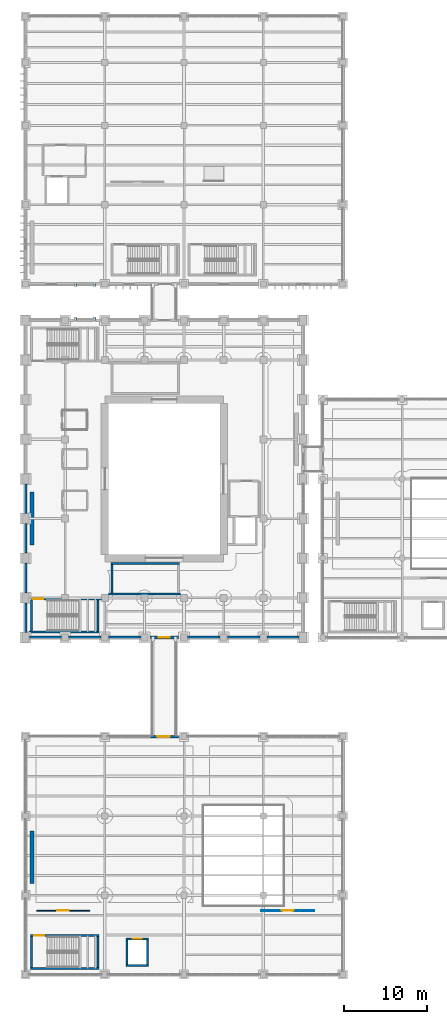
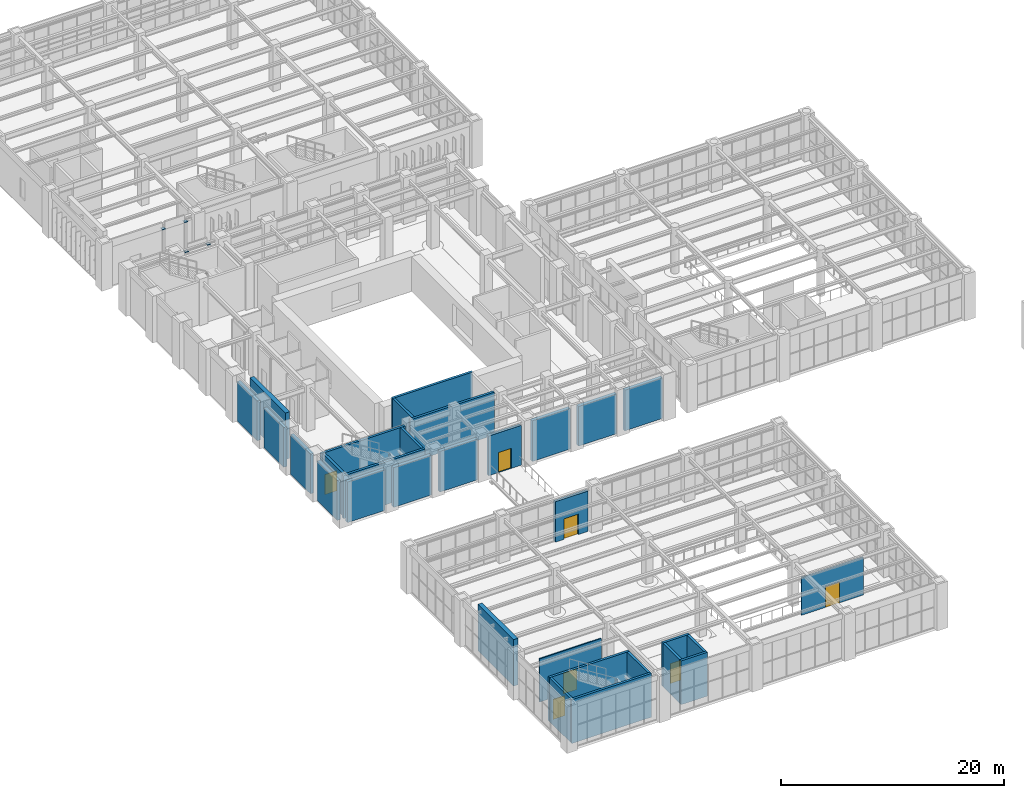
# One storey, part 140 of 174: 31 walls, 7 doors, 4 plates, 7 openings.
"""IFC4 building model written with IfcOpenShell, lengths in metres."""

import ifcopenshell
import ifcopenshell.guid

model = None  # the IFC model being written
_history = None  # IfcOwnerHistory: only IFC2X3 demands one
_inside = {}  # id of a spatial element -> (the spatial element, [elements in it])
_under = {}  # id of a project, library or spatial element -> (it, [spatial elements below it])
_declared = {}  # id of a project -> (the project, [libraries it declares])
_typed = {}  # id of a type object -> (the type object, [elements of that type])
_made_of = {}  # id of a material, layer set ... -> (it, [elements and type objects made of it])


def new_model(schema):
    """Start an empty IFC model of exactly this schema.

    Asked for "IFC4X3", IfcOpenShell would pick the latest addendum, in which some entities
    have other attributes; the version numbers below select the first issue.
    IFC2X3 requires an IfcOwnerHistory on every rooted entity: one is made here for all.
    """
    global model, _history
    if schema == "IFC4X3":
        model = ifcopenshell.file(schema_version=(4, 3, 0, 0))
    else:
        model = ifcopenshell.file(schema=schema)
    _inside.clear()
    _under.clear()
    _declared.clear()
    _typed.clear()
    _made_of.clear()
    _history = None
    if model.schema == "IFC2X3":
        org = make("IfcOrganization", Name="unknown")
        user = make(
            "IfcPersonAndOrganization",
            ThePerson=make("IfcPerson", FamilyName="unknown"),
            TheOrganization=org,
        )
        app = make(
            "IfcApplication",
            ApplicationDeveloper=org,
            Version="unknown",
            ApplicationFullName="unknown",
            ApplicationIdentifier="unknown",
        )
        _history = make(
            "IfcOwnerHistory",
            OwningUser=user,
            OwningApplication=app,
            ChangeAction="ADDED",
            CreationDate=0,
        )
    return model


def make(cls, **values):
    """One entity of the class cls with the attributes given. An attribute that is None is left unset."""
    return model.create_entity(
        cls, **{name: value for name, value in values.items() if value is not None}
    )


def rooted(cls, **values):
    """An entity with a GlobalId (a new one), such as an element, a storey or a relation."""
    return make(cls, GlobalId=ifcopenshell.guid.new(), OwnerHistory=_history, **values)


def si_unit(unit_type, name, prefix=None):
    """IfcSIUnit, for example si_unit("LENGTHUNIT", "METRE", prefix="MILLI")."""
    return make("IfcSIUnit", UnitType=unit_type, Prefix=prefix, Name=name)


def assignment(units):
    """IfcUnitAssignment: the units of a project."""
    return None if units is None else make("IfcUnitAssignment", Units=units)


def point(xyz):
    """IfcCartesianPoint."""
    return None if xyz is None else make("IfcCartesianPoint", Coordinates=xyz)


def direction(xyz):
    """IfcDirection."""
    return None if xyz is None else make("IfcDirection", DirectionRatios=xyz)


def frame(location, z_axis=None, x_axis=None):
    """IfcAxis2Placement3D, a coordinate frame: its origin and axes. An axis left out is left unset."""
    return make(
        "IfcAxis2Placement3D",
        Location=point(location),
        Axis=direction(z_axis),
        RefDirection=direction(x_axis),
    )


def frame_2d(location, x_axis=None):
    """IfcAxis2Placement2D, a coordinate frame in the plane: its origin and x axis."""
    return make(
        "IfcAxis2Placement2D", Location=point(location), RefDirection=direction(x_axis)
    )


def origin():
    """The frame at (0, 0, 0) with its axes left unset."""
    return frame((0.0, 0.0, 0.0))


def origin_2d():
    """The frame at (0, 0) in the plane with its x axis left unset."""
    return frame_2d((0.0, 0.0))


def place(relative_to, where):
    """IfcLocalPlacement: puts the frame where relative to a parent placement (None: the world)."""
    return make(
        "IfcLocalPlacement", PlacementRelTo=relative_to, RelativePlacement=where
    )


def context(
    kind, dimensions, precision=None, world=None, true_north=None, identifier=None
):
    """IfcGeometricRepresentationContext, for example the 3D "Model" context."""
    return make(
        "IfcGeometricRepresentationContext",
        ContextIdentifier=identifier,
        ContextType=kind,
        CoordinateSpaceDimension=dimensions,
        Precision=precision,
        WorldCoordinateSystem=world,
        TrueNorth=true_north,
    )


def subcontext(parent, identifier, kind, view, scale=None):
    """IfcGeometricRepresentationSubContext, for example "Body" below "Model"."""
    return make(
        "IfcGeometricRepresentationSubContext",
        ContextIdentifier=identifier,
        ContextType=kind,
        ParentContext=parent,
        TargetScale=scale,
        TargetView=view,
    )


def project(units=None, contexts=None):
    """IfcProject with its units and contexts."""
    return rooted(
        "IfcProject",
        Name="project",
        RepresentationContexts=contexts,
        UnitsInContext=assignment(units),
    )


def spatial(cls, under=None, at=None, **own):
    """A site, building, storey or space (cls), placed at a placement, below another one or the project."""
    s = rooted(cls, ObjectPlacement=at, **own)
    if under is not None:
        _under.setdefault(under.id(), (under, []))[1].append(s)
    return s


def profile(cls, at=None, kind="AREA", **sizes):
    """A parametric profile (cls). Its sizes go by their IFC names, for example OverallWidth=200.0."""
    return make(cls, ProfileType=kind, Position=at, **sizes)


def rectangle(**sizes):
    """IfcRectangleProfileDef."""
    return profile("IfcRectangleProfileDef", **sizes)


def extrude(swept, where, along, depth):
    """IfcExtrudedAreaSolid: the profile swept, set in the frame where, extruded along a direction by depth."""
    return make(
        "IfcExtrudedAreaSolid",
        SweptArea=swept,
        Position=where,
        ExtrudedDirection=direction(along),
        Depth=depth,
    )


def shape(context_of_items, identifier, shape_type, items):
    """IfcShapeRepresentation: the items that make up one representation, for example the "Body"."""
    return make(
        "IfcShapeRepresentation",
        ContextOfItems=context_of_items,
        RepresentationIdentifier=identifier,
        RepresentationType=shape_type,
        Items=items,
    )


def material(Name=None, Category=None):
    """IfcMaterial."""
    return make("IfcMaterial", Name=Name, Category=Category)


def layer(
    of_material, thickness, ventilated=None, Name=None, Category=None, Priority=None
):
    """IfcMaterialLayer: one layer of a wall or slab, of a material (None: an air gap)."""
    return make(
        "IfcMaterialLayer",
        Material=of_material,
        LayerThickness=thickness,
        IsVentilated=ventilated,
        Name=Name,
        Category=Category,
        Priority=Priority,
    )


def layer_set(layers, Name=None):
    """IfcMaterialLayerSet."""
    return make("IfcMaterialLayerSet", MaterialLayers=layers, LayerSetName=Name)


def made_of(thing, what):
    """Note that an element or type object is made of a material, layer set ...; save() writes the relation."""
    if what is not None:
        _made_of.setdefault(what.id(), (what, []))[1].append(thing)
    return thing


def type_object(cls, material=None, **own):
    """A type object (cls), such as IfcWallType, which elements share."""
    return made_of(rooted(cls, **own), material)


def element(
    cls,
    number,
    at=None,
    inside=None,
    cuts=None,
    type_object=None,
    material=None,
    context=None,
    identifier="Body",
    shape_type=None,
    held_by="IfcProductDefinitionShape",
    body=None,
    shapes=None,
    **own,
):
    """One element of the class cls, such as IfcWall. Its Tag is "e" and its number.

    at: its placement. inside: the storey or other place that contains it. cuts: it is an
    opening in that element (IfcRelVoidsElement). A single representation is given by context,
    identifier, shape_type and body (its items); several are given by shapes. held_by: the class
    of the entity that holds the representations. save() writes the other relations.
    """
    e = rooted(cls, Tag="e%d" % number, ObjectPlacement=at, **own)
    if body is not None:
        shapes = [shape(context, identifier, shape_type, body)]
    if shapes is not None:
        e.Representation = make(held_by, Representations=shapes)
    if inside is not None:
        _inside.setdefault(inside.id(), (inside, []))[1].append(e)
    if cuts is not None:
        rooted(
            "IfcRelVoidsElement", RelatingBuildingElement=cuts, RelatedOpeningElement=e
        )
    if type_object is not None:
        _typed.setdefault(type_object.id(), (type_object, []))[1].append(e)
    return made_of(e, material)


def fill(opening, filler):
    """IfcRelFillsElement: the door or window that sits in an opening."""
    return rooted(
        "IfcRelFillsElement",
        RelatingOpeningElement=opening,
        RelatedBuildingElement=filler,
    )


def aggregate(whole, parts):
    """IfcRelAggregates: a whole, such as a stair, and the parts it consists of."""
    return rooted("IfcRelAggregates", RelatingObject=whole, RelatedObjects=parts)


def save(model, path):
    """Write the relations noted so far, then the file.

    IfcRelAggregates (storeys below a building ...), IfcRelContainedInSpatialStructure (elements
    in a storey), IfcRelDefinesByType, IfcRelAssociatesMaterial and IfcRelDeclares: one each for
    every whole, place, type object, material and project.
    """
    for whole, parts in _under.values():
        aggregate(whole, parts)
    for where, things in _inside.values():
        rooted(
            "IfcRelContainedInSpatialStructure",
            RelatedElements=things,
            RelatingStructure=where,
        )
    for kind, things in _typed.values():
        rooted("IfcRelDefinesByType", RelatedObjects=things, RelatingType=kind)
    for what, things in _made_of.values():
        rooted("IfcRelAssociatesMaterial", RelatedObjects=things, RelatingMaterial=what)
    for by, libraries in _declared.values():
        rooted("IfcRelDeclares", RelatingContext=by, RelatedDefinitions=libraries)
    model.write(path)


model = new_model("IFC4")

# Units and contexts
model_context = context("Model", 3, precision=1e-05, world=origin(), true_north=direction((0.0, 1.0)))
body_context = subcontext(model_context, "Body", "Model", "MODEL_VIEW")
ifc_project = project(units=[si_unit("LENGTHUNIT", "METRE"), si_unit("AREAUNIT", "SQUARE_METRE"), si_unit("VOLUMEUNIT", "CUBIC_METRE"), si_unit("PLANEANGLEUNIT", "RADIAN"), si_unit("MASSUNIT", "GRAM", prefix="KILO")], contexts=[model_context])

# Site, building, storey
site_placement = place(None, origin())
site = spatial("IfcSite", under=ifc_project, at=site_placement, CompositionType="ELEMENT")
building_placement = place(site_placement, origin())
building = spatial("IfcBuilding", under=site, at=building_placement, Name="Mavantir Sound Aquarium", CompositionType="ELEMENT")
storey_placement = place(building_placement, frame((0.0, 0.0, 5.39990234375)))
storey = spatial("IfcBuildingStorey", under=building, at=storey_placement, Name="L01", CompositionType="ELEMENT", Elevation=5.39990234375)

# Plates
ifc_material_1 = material(Name="Structural Steel ASTM A572 Gr50", Category="steel")
ifc_layer_1 = layer(ifc_material_1, 0.02001953125, Name="Structural Steel ASTM A572 Gr50")
ifc_layer_set_1 = layer_set([ifc_layer_1], Name="Structural Steel ASTM A572 Gr50")
plate_type = type_object("IfcPlateType", Name="PLT-ENDCAP-20", PredefinedType="SHEET", material=ifc_layer_set_1)
for number, where, z_axis, x_axis, name in (
    (1, (6.050048828125, 79.35009765625, 4.35107421875), (0.0, 0.0, 1.0), (1.0, 0.0, 0.0), "Bridge hollow column 5.1 top cap plate NP-02"),
    (2, (6.050048828125, 83.449951171875, 4.35107421875), (0.0, 0.0, 1.0), (1.0, 0.0, 0.0), "Bridge hollow column 5.2 top cap plate NP-02"),
    (3, (8.35009765625, 79.35009765625, 4.35107421875), (0.0, 0.0, 1.0), (1.0, 0.0, 0.0), "Bridge hollow column 5.3 top cap plate NP-02"),
    (4, (8.35009765625, 83.449951171875, 4.35107421875), (0.0, 0.0, 1.0), (1.0, 0.0, 0.0), "Bridge hollow column 5.4 top cap plate NP-02"),
):
    element("IfcPlate", number, at=place(storey_placement, frame(where, z_axis=z_axis, x_axis=x_axis)), inside=storey, type_object=plate_type, Name=name, PredefinedType="SHEET", context=body_context, shape_type="SweptSolid", body=[
        extrude(rectangle(XDim=0.340087890625, YDim=0.340087890625, at=origin_2d()), origin(), (0.0, 0.0, 1.0), 0.02001953125),
    ])

# Wall, opening, door
ifc_material_2 = material(Name="Coral-Buff Architectural Precast Concrete C40/50", Category="concrete")
ifc_layer_2 = layer(ifc_material_2, 0.31005859375, Name="Coral-Buff Architectural Precast Concrete C40/50")
ifc_layer_set_2 = layer_set([ifc_layer_2], Name="Coral-Buff Architectural Precast Concrete C40/50")
wall_type_1 = type_object("IfcWallType", Name="EW-CORAL-310", PredefinedType="SOLIDWALL", material=ifc_layer_set_2)
wall_1_placement = place(storey_placement, frame((15.10009765625, 40.800048828125, 0.0), z_axis=(0.0, 0.0, 1.0), x_axis=(1.0, 0.0, 0.0)))
wall_1 = element("IfcWall", 5, at=wall_1_placement, inside=storey, type_object=wall_type_1, Name="L01 bridge portal wall 3", PredefinedType="SOLIDWALL", context=body_context, shape_type="SweptSolid", body=[
    extrude(rectangle(XDim=3.39990234375, YDim=0.31005859375, at=frame_2d((1.699951171875, 0.0))), origin(), (0.0, 0.0, 1.0), 4.358154296875),
])
opening_1_placement = place(wall_1_placement, frame((2.3701171875, 0.0, 0.0), z_axis=(0.0, 0.0, 1.0), x_axis=(-1.0, 0.0, 0.0)))
opening_1 = element("IfcOpeningElement", 6, at=opening_1_placement, cuts=wall_1, Name="Opening ETD-02", PredefinedType="OPENING", context=body_context, shape_type="SweptSolid", body=[
    extrude(rectangle(XDim=1.35009765625, YDim=2.199951171875, at=frame_2d((0.675048828125, 1.10009765625))), frame((0.0, 0.1650390625, 0.0), z_axis=(0.0, -1.0, 0.0), x_axis=(1.0, 0.0, 0.0)), (0.0, 0.0, 1.0), 0.330078125),
])
ifc_material_3 = material(Name="Marine-Grade Anodised Aluminium and Laminated Glass", Category="aluminium")
door_type_1 = type_object("IfcDoorType", Name="DR-TER-135", OperationType="NOTDEFINED", PredefinedType="DOOR", material=ifc_material_3)
door_1_placement = place(opening_1_placement, origin())
door_1 = element("IfcDoor", 7, at=door_1_placement, inside=storey, type_object=door_type_1, Name="L01 bridge access door 3", OperationType="SINGLE_SWING_RIGHT", OverallHeight=2.199951171875, OverallWidth=1.35009765625, PredefinedType="DOOR", context=body_context, shape_type="SweptSolid", body=[
    extrude(rectangle(XDim=1.35009765625, YDim=2.199951171875, at=frame_2d((0.675048828125, 1.10009765625))), frame((0.0, 0.02490234375, 0.0), z_axis=(0.0, -1.0, 0.0), x_axis=(1.0, 0.0, 0.0)), (0.0, 0.0, 1.0), 0.050048828125),
])
fill(opening_1, door_1)

wall_2_placement = place(storey_placement, frame((18.5, 28.800048828125, 0.0), z_axis=(0.0, 0.0, 1.0), x_axis=(-1.0, 0.0, 0.0)))
wall_2 = element("IfcWall", 8, at=wall_2_placement, inside=storey, type_object=wall_type_1, Name="L01 bridge portal wall 4", PredefinedType="SOLIDWALL", context=body_context, shape_type="SweptSolid", body=[
    extrude(rectangle(XDim=3.39990234375, YDim=0.31005859375, at=frame_2d((1.699951171875, 0.0))), origin(), (0.0, 0.0, 1.0), 4.43798828125),
])
opening_2_placement = place(wall_2_placement, frame((2.52001953125, 0.0, 0.0), z_axis=(0.0, 0.0, 1.0), x_axis=(-1.0, 0.0, 0.0)))
opening_2 = element("IfcOpeningElement", 9, at=opening_2_placement, cuts=wall_2, Name="Opening ETD-01", PredefinedType="OPENING", context=body_context, shape_type="SweptSolid", body=[
    extrude(rectangle(XDim=1.5, YDim=2.25, at=frame_2d((0.75, 1.125))), frame((0.0, 0.1650390625, 0.0), z_axis=(0.0, -1.0, 0.0), x_axis=(1.0, 0.0, 0.0)), (0.0, 0.0, 1.0), 0.330078125),
])
door_type_2 = type_object("IfcDoorType", Name="DR-TER-150", OperationType="NOTDEFINED", PredefinedType="DOOR", material=ifc_material_3)
door_2_placement = place(opening_2_placement, origin())
door_2 = element("IfcDoor", 10, at=door_2_placement, inside=storey, type_object=door_type_2, Name="L01 bridge access door 4", OperationType="SINGLE_SWING_LEFT", OverallHeight=2.25, OverallWidth=1.5, PredefinedType="DOOR", context=body_context, shape_type="SweptSolid", body=[
    extrude(rectangle(XDim=1.5, YDim=2.25, at=frame_2d((0.75, 1.125))), frame((0.0, 0.02490234375, 0.0), z_axis=(0.0, -1.0, 0.0), x_axis=(1.0, 0.0, 0.0)), (0.0, 0.0, 1.0), 0.050048828125),
])
fill(opening_2, door_2)

# Walls
ifc_layer_3 = layer(ifc_material_2, 0.340087890625, Name="Coral-Buff Architectural Precast Concrete C40/50")
ifc_layer_set_3 = layer_set([ifc_layer_3], Name="Coral-Buff Architectural Precast Concrete C40/50")
wall_type_2 = type_object("IfcWallType", Name="EW-CORAL-340", PredefinedType="SOLIDWALL", material=ifc_layer_set_3)
for number, where, z_axis, x_axis, name in (
    (11, (0.0, 59.39208984375, 0.0), (0.0, 0.0, 1.0), (0.0, -1.0, 0.0), "L01 exterior facade wall EW-01 156"),
    (12, (0.0, 54.592041015625, 0.0), (0.0, 0.0, 1.0), (0.0, -1.0, 0.0), "L01 exterior facade wall EW-01 157"),
    (13, (0.0, 49.7919921875, 0.0), (0.0, 0.0, 1.0), (0.0, -1.0, 0.0), "L01 exterior facade wall EW-01 158"),
    (14, (0.0, 44.991943359375, 0.0), (0.0, 0.0, 1.0), (0.0, -1.0, 0.0), "L01 exterior facade wall EW-01 159"),
):
    element("IfcWall", number, at=place(storey_placement, frame(where, z_axis=z_axis, x_axis=x_axis)), inside=storey, type_object=wall_type_2, Name=name, PredefinedType="SOLIDWALL", context=body_context, shape_type="SweptSolid", body=[
        extrude(rectangle(XDim=3.583984375, YDim=0.340087890625, at=frame_2d((1.7919921875, 0.0))), origin(), (0.0, 0.0, 1.0), 4.358154296875),
    ])
wall_3_placement = place(storey_placement, frame((0.4580078125, 40.800048828125, 0.0), z_axis=(0.0, 0.0, 1.0), x_axis=(1.0, 0.0, 0.0)))
element("IfcWall", 15, at=wall_3_placement, inside=storey, type_object=wall_type_2, Name="L01 exterior facade wall EW-01 160", PredefinedType="SOLIDWALL", context=body_context, shape_type="SweptSolid", body=[
    extrude(rectangle(XDim=3.908935546875, YDim=0.340087890625, at=frame_2d((1.95458984375, 0.0))), origin(), (0.0, 0.0, 1.0), 4.463134765625),
])
wall_4_placement = place(storey_placement, frame((5.23291015625, 40.800048828125, 0.0), z_axis=(0.0, 0.0, 1.0), x_axis=(1.0, 0.0, 0.0)))
element("IfcWall", 16, at=wall_4_placement, inside=storey, type_object=wall_type_2, Name="L01 exterior facade wall EW-01 161", PredefinedType="SOLIDWALL", context=body_context, shape_type="SweptSolid", body=[
    extrude(rectangle(XDim=3.93408203125, YDim=0.340087890625, at=frame_2d((1.967041015625, 0.0))), origin(), (0.0, 0.0, 1.0), 4.358154296875),
])
wall_5_placement = place(storey_placement, frame((10.032958984375, 40.800048828125, 0.0), z_axis=(0.0, 0.0, 1.0), x_axis=(1.0, 0.0, 0.0)))
element("IfcWall", 17, at=wall_5_placement, inside=storey, type_object=wall_type_2, Name="L01 exterior facade wall EW-01 162", PredefinedType="SOLIDWALL", context=body_context, shape_type="SweptSolid", body=[
    extrude(rectangle(XDim=3.93408203125, YDim=0.340087890625, at=frame_2d((1.967041015625, 0.0))), origin(), (0.0, 0.0, 1.0), 4.463134765625),
])
wall_6_placement = place(storey_placement, frame((19.633056640625, 40.800048828125, 0.0), z_axis=(0.0, 0.0, 1.0), x_axis=(1.0, 0.0, 0.0)))
element("IfcWall", 18, at=wall_6_placement, inside=storey, type_object=wall_type_2, Name="L01 exterior facade wall EW-01 163", PredefinedType="SOLIDWALL", context=body_context, shape_type="SweptSolid", body=[
    extrude(rectangle(XDim=3.933837890625, YDim=0.340087890625, at=frame_2d((1.966796875, 0.0))), origin(), (0.0, 0.0, 1.0), 4.463134765625),
])
wall_7_placement = place(storey_placement, frame((24.43310546875, 40.800048828125, 0.0), z_axis=(0.0, 0.0, 1.0), x_axis=(1.0, 0.0, 0.0)))
element("IfcWall", 19, at=wall_7_placement, inside=storey, type_object=wall_type_2, Name="L01 exterior facade wall EW-01 164", PredefinedType="SOLIDWALL", context=body_context, shape_type="SweptSolid", body=[
    extrude(rectangle(XDim=3.933837890625, YDim=0.340087890625, at=frame_2d((1.966796875, 0.0))), origin(), (0.0, 0.0, 1.0), 4.358154296875),
])
wall_8_placement = place(storey_placement, frame((29.23291015625, 40.800048828125, 0.0), z_axis=(0.0, 0.0, 1.0), x_axis=(1.0, 0.0, 0.0)))
element("IfcWall", 20, at=wall_8_placement, inside=storey, type_object=wall_type_2, Name="L01 exterior facade wall EW-01 165", PredefinedType="SOLIDWALL", context=body_context, shape_type="SweptSolid", body=[
    extrude(rectangle(XDim=3.9091796875, YDim=0.340087890625, at=frame_2d((1.95458984375, 0.0))), origin(), (0.0, 0.0, 1.0), 4.463134765625),
])

# Wall, opening, door
ifc_material_4 = material(Name="Lightweight Partition Framing", Category="gypsum")
ifc_layer_4 = layer(ifc_material_4, 0.1201171875, Name="Lightweight Partition Framing")
ifc_layer_set_4 = layer_set([ifc_layer_4], Name="Lightweight Partition Framing")
wall_type_3 = type_object("IfcWallType", Name="IW-PART-120", PredefinedType="PARTITIONING", material=ifc_layer_set_4)
wall_9_placement = place(storey_placement, frame((28.550048828125, 7.72509765625, 0.0), z_axis=(0.0, 0.0, 1.0), x_axis=(1.0, 0.0, 0.0)))
wall_9 = element("IfcWall", 21, at=wall_9_placement, inside=storey, type_object=wall_type_3, Name="L01 Education Wet Discovery Laboratory entry partition", PredefinedType="PARTITIONING", context=body_context, shape_type="SweptSolid", body=[
    extrude(rectangle(XDim=6.39990234375, YDim=0.1201171875, at=frame_2d((3.199951171875, 0.0))), origin(), (0.0, 0.0, 1.0), 4.155029296875),
])
opening_3_placement = place(wall_9_placement, frame((2.4599609375, 0.0, 0.0)))
opening_3 = element("IfcOpeningElement", 22, at=opening_3_placement, cuts=wall_9, Name="Opening ID-13", PredefinedType="OPENING", context=body_context, shape_type="SweptSolid", body=[
    extrude(rectangle(XDim=1.47998046875, YDim=2.300048828125, at=frame_2d((0.739990234375, 1.14990234375))), frame((0.0, 0.070068359375, 0.0), z_axis=(0.0, -1.0, 0.0), x_axis=(1.0, 0.0, 0.0)), (0.0, 0.0, 1.0), 0.14013671875),
])
ifc_material_5 = material(Name="Solid-Core Marine Hardwood and Vision-Panel Door", Category="wood")
door_type_3 = type_object("IfcDoorType", Name="DR-INT-13", OperationType="NOTDEFINED", PredefinedType="DOOR", material=ifc_material_5)
door_3_placement = place(opening_3_placement, origin())
door_3 = element("IfcDoor", 23, at=door_3_placement, inside=storey, type_object=door_type_3, Name="Education Wet Discovery Laboratory door", OperationType="SINGLE_SWING_LEFT", OverallHeight=2.300048828125, OverallWidth=1.47998046875, PredefinedType="DOOR", context=body_context, shape_type="SweptSolid", body=[
    extrude(rectangle(XDim=1.47998046875, YDim=2.300048828125, at=frame_2d((0.739990234375, 1.14990234375))), frame((0.0, 0.02490234375, 0.0), z_axis=(0.0, -1.0, 0.0), x_axis=(1.0, 0.0, 0.0)), (0.0, 0.0, 1.0), 0.050048828125),
])
fill(opening_3, door_3)

ifc_material_6 = material(Name="Acoustic Metal-Stud Gypsum Partition", Category="gypsum")
ifc_layer_5 = layer(ifc_material_6, 0.1298828125, Name="Acoustic Metal-Stud Gypsum Partition")
ifc_layer_set_5 = layer_set([ifc_layer_5], Name="Acoustic Metal-Stud Gypsum Partition")
wall_type_4 = type_object("IfcWallType", Name="IW-PART-130", PredefinedType="PARTITIONING", material=ifc_layer_set_5)
wall_10_placement = place(storey_placement, frame((1.35009765625, 7.72509765625, 0.0), z_axis=(0.0, 0.0, 1.0), x_axis=(1.0, 0.0, 0.0)))
wall_10 = element("IfcWall", 24, at=wall_10_placement, inside=storey, type_object=wall_type_4, Name="L01 Education Centre Raked Lecture Theatre entry partition", PredefinedType="PARTITIONING", context=body_context, shape_type="SweptSolid", body=[
    extrude(rectangle(XDim=6.39990234375, YDim=0.1298828125, at=frame_2d((3.199951171875, 0.0))), origin(), (0.0, 0.0, 1.0), 4.739990234375),
])
opening_4_placement = place(wall_10_placement, frame((2.5, 0.0, 0.0)))
opening_4 = element("IfcOpeningElement", 25, at=opening_4_placement, cuts=wall_10, Name="Opening ID-12", PredefinedType="OPENING", context=body_context, shape_type="SweptSolid", body=[
    extrude(rectangle(XDim=1.39990234375, YDim=2.300048828125, at=frame_2d((0.699951171875, 1.14990234375))), frame((0.0, 0.074951171875, 0.0), z_axis=(0.0, -1.0, 0.0), x_axis=(1.0, 0.0, 0.0)), (0.0, 0.0, 1.0), 0.14990234375),
])
door_type_4 = type_object("IfcDoorType", Name="DR-INT-12", OperationType="NOTDEFINED", PredefinedType="DOOR", material=ifc_material_5)
door_4_placement = place(opening_4_placement, origin())
door_4 = element("IfcDoor", 26, at=door_4_placement, inside=storey, type_object=door_type_4, Name="Education Centre Raked Lecture Theatre door", OperationType="SINGLE_SWING_RIGHT", OverallHeight=2.300048828125, OverallWidth=1.39990234375, PredefinedType="DOOR", context=body_context, shape_type="SweptSolid", body=[
    extrude(rectangle(XDim=1.39990234375, YDim=2.300048828125, at=frame_2d((0.699951171875, 1.14990234375))), frame((0.0, 0.02490234375, 0.0), z_axis=(0.0, -1.0, 0.0), x_axis=(1.0, 0.0, 0.0)), (0.0, 0.0, 1.0), 0.050048828125),
])
fill(opening_4, door_4)

# Wall
ifc_material_7 = material(Name="Concrete C40/50", Category="concrete")
ifc_layer_6 = layer(ifc_material_7, 0.25, Name="Concrete C40/50")
ifc_layer_set_6 = layer_set([ifc_layer_6], Name="Concrete C40/50")
wall_type_5 = type_object("IfcWallType", Name="IW-SHAFT-250", PredefinedType="SHEAR", material=ifc_layer_set_6)
wall_11_placement = place(storey_placement, frame((0.449951171875, 41.47509765625, 0.0), z_axis=(0.0, 0.0, 1.0), x_axis=(1.0, 0.0, 0.0)))
element("IfcWall", 27, at=wall_11_placement, inside=storey, type_object=wall_type_5, Name="L01 stair ST1 shaft wall S", PredefinedType="SHEAR", context=body_context, shape_type="SweptSolid", body=[
    extrude(rectangle(XDim=8.449951171875, YDim=0.25, at=frame_2d((4.22509765625, 0.0))), origin(), (0.0, 0.0, 1.0), 4.7001953125),
])

# Wall, opening, door
wall_12_placement = place(storey_placement, frame((9.175048828125, 45.47509765625, 0.0), z_axis=(0.0, 0.0, 1.0), x_axis=(-1.0, 0.0, 0.0)))
wall_12 = element("IfcWall", 28, at=wall_12_placement, inside=storey, type_object=wall_type_5, Name="L01 stair ST1 shaft wall N", PredefinedType="SHEAR", context=body_context, shape_type="SweptSolid", body=[
    extrude(rectangle(XDim=8.72509765625, YDim=0.25, at=frame_2d((4.362548828125, 0.0))), origin(), (0.0, 0.0, 1.0), 4.7001953125),
])
opening_5_placement = place(wall_12_placement, frame((8.27490234375, 0.0, 0.0), z_axis=(0.0, 0.0, 1.0), x_axis=(-1.0, 0.0, 0.0)))
opening_5 = element("IfcOpeningElement", 29, at=opening_5_placement, cuts=wall_12, Name="Opening SD-01", PredefinedType="OPENING", context=body_context, shape_type="SweptSolid", body=[
    extrude(rectangle(XDim=1.25, YDim=2.199951171875, at=frame_2d((0.625, 1.10009765625))), frame((0.0, 0.135009765625, 0.0), z_axis=(0.0, -1.0, 0.0), x_axis=(1.0, 0.0, 0.0)), (0.0, 0.0, 1.0), 0.27001953125),
])
ifc_material_8 = material(Name="Fire-Rated Steel Acoustic Door Leaf", Category="steel")
door_type_5 = type_object("IfcDoorType", Name="DR-ST-125", OperationType="NOTDEFINED", PredefinedType="DOOR", material=ifc_material_8)
door_5_placement = place(opening_5_placement, origin())
door_5 = element("IfcDoor", 30, at=door_5_placement, inside=storey, type_object=door_type_5, Name="L01 protected exit stair ST1 door", OperationType="SINGLE_SWING_RIGHT", OverallHeight=2.199951171875, OverallWidth=1.25, PredefinedType="DOOR", context=body_context, shape_type="SweptSolid", body=[
    extrude(rectangle(XDim=1.25, YDim=2.199951171875, at=frame_2d((0.625, 1.10009765625))), frame((0.0, 0.02490234375, 0.0), z_axis=(0.0, -1.0, 0.0), x_axis=(1.0, 0.0, 0.0)), (0.0, 0.0, 1.0), 0.050048828125),
])
fill(opening_5, door_5)

# Walls
for number, where, z_axis, x_axis, name in (
    (31, (0.72509765625, 45.35009765625, 0.0), (0.0, 0.0, 1.0), (0.0, -1.0, 0.0), "L01 stair ST1 shaft wall W"),
    (32, (8.77490234375, 41.60009765625, 0.0), (0.0, 0.0, 1.0), (0.0, 1.0, 0.0), "L01 stair ST1 shaft wall E"),
):
    element("IfcWall", number, at=place(storey_placement, frame(where, z_axis=z_axis, x_axis=x_axis)), inside=storey, type_object=wall_type_5, Name=name, PredefinedType="SHEAR", context=body_context, shape_type="SweptSolid", body=[
        extrude(rectangle(XDim=3.75, YDim=0.25, at=frame_2d((1.875, 0.0))), origin(), (0.0, 0.0, 1.0), 4.7001953125),
    ])
wall_13_placement = place(storey_placement, frame((10.02490234375, 46.074951171875, 0.0), z_axis=(0.0, 0.0, 1.0), x_axis=(1.0, 0.0, 0.0)))
element("IfcWall", 33, at=wall_13_placement, inside=storey, type_object=wall_type_5, Name="L01 stair ST9 shaft wall S", PredefinedType="SHEAR", context=body_context, shape_type="SweptSolid", body=[
    extrude(rectangle(XDim=8.75, YDim=0.25, at=frame_2d((4.375, 0.0))), origin(), (0.0, 0.0, 1.0), 4.7001953125),
])
wall_14_placement = place(storey_placement, frame((18.64990234375, 49.77490234375, 0.0), z_axis=(0.0, 0.0, 1.0), x_axis=(-1.0, 0.0, 0.0)))
element("IfcWall", 34, at=wall_14_placement, inside=storey, type_object=wall_type_5, Name="L01 stair ST9 shaft wall N", PredefinedType="SHEAR", context=body_context, shape_type="SweptSolid", body=[
    extrude(rectangle(XDim=8.2998046875, YDim=0.25, at=frame_2d((4.14990234375, 0.0))), origin(), (0.0, 0.0, 1.0), 4.7001953125),
])
wall_15_placement = place(storey_placement, frame((10.47509765625, 49.64990234375, 0.0), z_axis=(0.0, 0.0, 1.0), x_axis=(0.0, -1.0, 0.0)))
element("IfcWall", 35, at=wall_15_placement, inside=storey, type_object=wall_type_5, Name="L01 stair ST9 shaft wall W", PredefinedType="SHEAR", context=body_context, shape_type="SweptSolid", body=[
    extrude(rectangle(XDim=3.449951171875, YDim=0.25, at=frame_2d((1.72509765625, 0.0))), origin(), (0.0, 0.0, 1.0), 4.7001953125),
])
wall_16_placement = place(storey_placement, frame((0.60009765625, 0.72509765625, 0.0), z_axis=(0.0, 0.0, 1.0), x_axis=(1.0, 0.0, 0.0)))
element("IfcWall", 36, at=wall_16_placement, inside=storey, type_object=wall_type_5, Name="L01 stair ST3 shaft wall S", PredefinedType="SHEAR", context=body_context, shape_type="SweptSolid", body=[
    extrude(rectangle(XDim=8.2998046875, YDim=0.25, at=frame_2d((4.14990234375, 0.0))), origin(), (0.0, 0.0, 1.0), 4.800048828125),
])

# Wall, opening, door
wall_17_placement = place(storey_placement, frame((8.89990234375, 4.72509765625, 0.0), z_axis=(0.0, 0.0, 1.0), x_axis=(-1.0, 0.0, 0.0)))
wall_17 = element("IfcWall", 37, at=wall_17_placement, inside=storey, type_object=wall_type_5, Name="L01 stair ST3 shaft wall N", PredefinedType="SHEAR", context=body_context, shape_type="SweptSolid", body=[
    extrude(rectangle(XDim=8.2998046875, YDim=0.25, at=frame_2d((4.14990234375, 0.0))), origin(), (0.0, 0.0, 1.0), 4.800048828125),
])
opening_6_placement = place(wall_17_placement, frame((7.85009765625, 0.0, 0.0), z_axis=(0.0, 0.0, 1.0), x_axis=(-1.0, 0.0, 0.0)))
opening_6 = element("IfcOpeningElement", 38, at=opening_6_placement, cuts=wall_17, Name="Opening SD-01", PredefinedType="OPENING", context=body_context, shape_type="SweptSolid", body=[
    extrude(rectangle(XDim=1.25, YDim=2.199951171875, at=frame_2d((0.625, 1.10009765625))), frame((0.0, 0.135009765625, 0.0), z_axis=(0.0, -1.0, 0.0), x_axis=(1.0, 0.0, 0.0)), (0.0, 0.0, 1.0), 0.27001953125),
])
door_6_placement = place(opening_6_placement, origin())
door_6 = element("IfcDoor", 39, at=door_6_placement, inside=storey, type_object=door_type_5, Name="L01 protected exit stair ST3 door", OperationType="SINGLE_SWING_RIGHT", OverallHeight=2.199951171875, OverallWidth=1.25, PredefinedType="DOOR", context=body_context, shape_type="SweptSolid", body=[
    extrude(rectangle(XDim=1.25, YDim=2.199951171875, at=frame_2d((0.625, 1.10009765625))), frame((0.0, 0.02490234375, 0.0), z_axis=(0.0, -1.0, 0.0), x_axis=(1.0, 0.0, 0.0)), (0.0, 0.0, 1.0), 0.050048828125),
])
fill(opening_6, door_6)

# Walls
for number, where, z_axis, x_axis, name in (
    (40, (0.72509765625, 4.60009765625, 0.0), (0.0, 0.0, 1.0), (0.0, -1.0, 0.0), "L01 stair ST3 shaft wall W"),
    (41, (8.77490234375, 0.85009765625, 0.0), (0.0, 0.0, 1.0), (0.0, 1.0, 0.0), "L01 stair ST3 shaft wall E"),
):
    element("IfcWall", number, at=place(storey_placement, frame(where, z_axis=z_axis, x_axis=x_axis)), inside=storey, type_object=wall_type_5, Name=name, PredefinedType="SHEAR", context=body_context, shape_type="SweptSolid", body=[
        extrude(rectangle(XDim=3.75, YDim=0.25, at=frame_2d((1.875, 0.0))), origin(), (0.0, 0.0, 1.0), 4.800048828125),
    ])
wall_18_placement = place(storey_placement, frame((12.14990234375, 1.074951171875, 0.0), z_axis=(0.0, 0.0, 1.0), x_axis=(1.0, 0.0, 0.0)))
element("IfcWall", 42, at=wall_18_placement, inside=storey, type_object=wall_type_5, Name="L01 lift LC3 shaft wall S", PredefinedType="SHEAR", context=body_context, shape_type="SweptSolid", body=[
    extrude(rectangle(XDim=2.75, YDim=0.25, at=frame_2d((1.375, 0.0))), origin(), (0.0, 0.0, 1.0), 4.800048828125),
])

# Wall, opening, door
wall_19_placement = place(storey_placement, frame((12.14990234375, 4.324951171875, 0.0), z_axis=(0.0, 0.0, 1.0), x_axis=(1.0, 0.0, 0.0)))
wall_19 = element("IfcWall", 43, at=wall_19_placement, inside=storey, type_object=wall_type_5, Name="L01 lift LC3 shaft wall N", PredefinedType="SHEAR", context=body_context, shape_type="SweptSolid", body=[
    extrude(rectangle(XDim=2.75, YDim=0.25, at=frame_2d((1.375, 0.0))), origin(), (0.0, 0.0, 1.0), 4.800048828125),
])
opening_7_placement = place(wall_19_placement, frame((0.824951171875, 0.0, 0.0)))
opening_7 = element("IfcOpeningElement", 44, at=opening_7_placement, cuts=wall_19, Name="Opening LD-02", PredefinedType="OPENING", context=body_context, shape_type="SweptSolid", body=[
    extrude(rectangle(XDim=1.10009765625, YDim=2.199951171875, at=frame_2d((0.550048828125, 1.10009765625))), frame((0.0, 0.135009765625, 0.0), z_axis=(0.0, -1.0, 0.0), x_axis=(1.0, 0.0, 0.0)), (0.0, 0.0, 1.0), 0.27001953125),
])
ifc_material_9 = material(Name="Stainless Steel 316 Sliding Lift Landing Door", Category="steel")
door_type_6 = type_object("IfcDoorType", Name="DR-LD-110", OperationType="NOTDEFINED", PredefinedType="DOOR", material=ifc_material_9)
door_7_placement = place(opening_7_placement, origin())
door_7 = element("IfcDoor", 45, at=door_7_placement, inside=storey, type_object=door_type_6, Name="Lift LC3 sliding landing door (L01)", OperationType="DOUBLE_DOOR_SLIDING", OverallHeight=2.199951171875, OverallWidth=1.10009765625, PredefinedType="DOOR", context=body_context, shape_type="SweptSolid", body=[
    extrude(rectangle(XDim=1.10009765625, YDim=2.199951171875, at=frame_2d((0.550048828125, 1.10009765625))), frame((0.0, 0.02490234375, 0.0), z_axis=(0.0, -1.0, 0.0), x_axis=(1.0, 0.0, 0.0)), (0.0, 0.0, 1.0), 0.050048828125),
])
fill(opening_7, door_7)

# Walls
for number, where, z_axis, x_axis, name in (
    (46, (12.27490234375, 1.199951171875, 0.0), (0.0, 0.0, 1.0), (0.0, 1.0, 0.0), "L01 lift LC3 shaft wall W"),
    (47, (14.77490234375, 1.199951171875, 0.0), (0.0, 0.0, 1.0), (0.0, 1.0, 0.0), "L01 lift LC3 shaft wall E"),
):
    element("IfcWall", number, at=place(storey_placement, frame(where, z_axis=z_axis, x_axis=x_axis)), inside=storey, type_object=wall_type_5, Name=name, PredefinedType="SHEAR", context=body_context, shape_type="SweptSolid", body=[
        extrude(rectangle(XDim=3.0, YDim=0.25, at=frame_2d((1.5, 0.0))), origin(), (0.0, 0.0, 1.0), 4.800048828125),
    ])
ifc_layer_7 = layer(ifc_material_7, 0.449951171875, Name="Concrete C40/50")
ifc_layer_set_7 = layer_set([ifc_layer_7], Name="Concrete C40/50")
wall_type_6 = type_object("IfcWallType", Name="SW-SHR-450", PredefinedType="SHEAR", material=ifc_layer_set_7)
for number, where, z_axis, x_axis, name in (
    (48, (0.800048828125, 52.0, 0.0), (0.0, 0.0, 1.0), (0.0, 1.0, 0.0), "L01 special RC shear wall 4 (V1)"),
    (49, (0.800048828125, 11.0, 0.0), (0.0, 0.0, 1.0), (0.0, 1.0, 0.0), "L01 special RC shear wall 21 (V3)"),
):
    element("IfcWall", number, at=place(storey_placement, frame(where, z_axis=z_axis, x_axis=x_axis)), inside=storey, type_object=wall_type_6, Name=name, PredefinedType="SHEAR", context=body_context, shape_type="SweptSolid", body=[
        extrude(rectangle(XDim=6.39990234375, YDim=0.449951171875, at=frame_2d((3.199951171875, 0.0))), origin(), (0.0, 0.0, 1.0), 5.10009765625),
    ])

save(model, "model.ifc")
